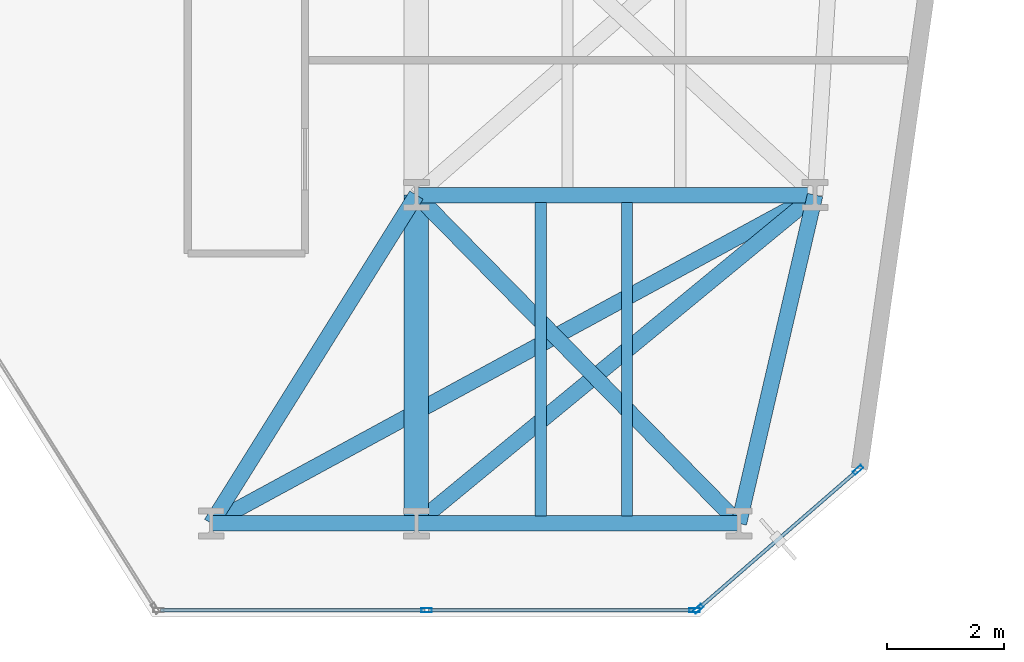
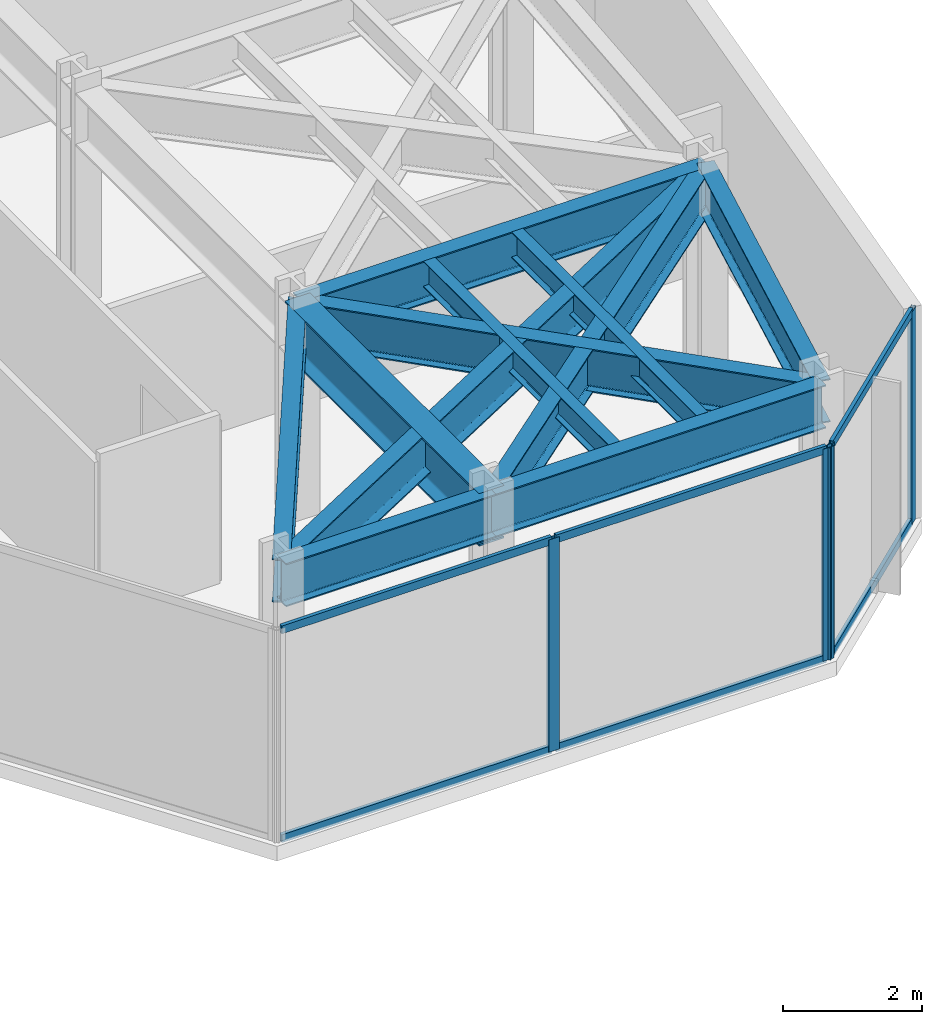
# One storey, part 13 of 25: 11 beams, 10 members, 2 elements without a shape of their own.
"""IFC4 building model written with IfcOpenShell, lengths in metres."""

from ifc_helpers import new_model, si_unit, direction, frame, origin, origin_2d, place, context, subcontext, project, spatial, hollow_rectangle, i_section, extrude, material, layer, layer_set, material_profile, profile_set, type_object, element, aggregate, save


model = new_model("IFC4")

# Units and contexts
model_context = context("Model", 3, precision=1e-05, world=origin(), true_north=direction((0.0, 1.0)))
body_context = subcontext(model_context, "Body", "Model", "MODEL_VIEW")
ifc_project = project(units=[si_unit("LENGTHUNIT", "METRE"), si_unit("AREAUNIT", "SQUARE_METRE"), si_unit("VOLUMEUNIT", "CUBIC_METRE"), si_unit("PLANEANGLEUNIT", "RADIAN"), si_unit("MASSUNIT", "GRAM", prefix="KILO")], contexts=[model_context])

# Site, building, storey
site_placement = place(None, origin())
site = spatial("IfcSite", under=ifc_project, at=site_placement, CompositionType="ELEMENT")
building_placement = place(site_placement, origin())
building = spatial("IfcBuilding", under=site, at=building_placement, Name="Kravanh Interchange Tower", CompositionType="ELEMENT")
storey_placement = place(building_placement, frame((0.0, 0.0, 41.5)))
storey = spatial("IfcBuildingStorey", under=building, at=storey_placement, Name="L09", CompositionType="ELEMENT", Elevation=41.5)

# Curtain wall, members
ifc_material_1 = material(Name="Anodised Bronze Aluminium", Category="aluminium")
ifc_layer = layer(ifc_material_1, 0.179931640625)
ifc_layer_set = layer_set([ifc_layer], Name="Unitised Curtain Wall System CW-Z1 Lower Office")
curtain_wall_type = type_object("IfcCurtainWallType", Name="Unitised Curtain Wall System CW-Z1 Lower Office", PredefinedType="NOTDEFINED", material=ifc_layer_set)
curtain_wall_1_placement = place(storey_placement, origin())
curtain_wall_1 = element("IfcCurtainWall", 1, at=curtain_wall_1_placement, inside=storey, type_object=curtain_wall_type, Name="L09 Unitised Curtain Wall CW-L09-02", PredefinedType="NOTDEFINED")
ifc_material_2 = material(Name="Anodised Bronze Aluminium", Category="aluminium")
ifc_material_profile_1 = material_profile(ifc_material_2, hollow_rectangle(XDim=0.070068359375, YDim=0.179931640625, WallThickness=0.00390625, at=origin_2d()), Name="ALU70X180X4")
ifc_profile_set_1 = profile_set([ifc_material_profile_1], Name="Anodised Bronze Aluminium")
member_type_1 = type_object("IfcMemberType", Name="Curtain Wall Mullion ALU70X180X4 Bronze", PredefinedType="MULLION", material=ifc_profile_set_1)
member_1_placement = place(storey_placement, frame((63.533203125, 3.513916015625, 0.0), z_axis=(0.0, 0.0, 1.0), x_axis=(0.656060422341, -0.754708368999, 0.0)))
member_1 = element("IfcMember", 2, at=member_1_placement, type_object=member_type_1, Name="CW-Z1 mullion 1", PredefinedType="MULLION", context=body_context, shape_type="SweptSolid", body=[
    extrude(hollow_rectangle(XDim=0.070068359375, YDim=0.179931640625, WallThickness=0.00390625, at=origin_2d()), origin(), (0.0, 0.0, 1.0), 3.739990234375),
])
member_2_placement = place(storey_placement, frame((60.805908203125, 1.14306640625, 0.0), z_axis=(0.0, 0.0, 1.0), x_axis=(0.656060422341, -0.754708368999, 0.0)))
member_2 = element("IfcMember", 3, at=member_2_placement, type_object=member_type_1, Name="CW-Z1 mullion 2", PredefinedType="MULLION", context=body_context, shape_type="SweptSolid", body=[
    extrude(hollow_rectangle(XDim=0.070068359375, YDim=0.179931640625, WallThickness=0.00390625, at=origin_2d()), origin(), (0.0, 0.0, 1.0), 3.739990234375),
])

curtain_wall_2_placement = place(storey_placement, origin())
curtain_wall_2 = element("IfcCurtainWall", 4, at=curtain_wall_2_placement, inside=storey, type_object=curtain_wall_type, Name="L09 Unitised Curtain Wall CW-L09-03", PredefinedType="NOTDEFINED")
member_3_placement = place(storey_placement, frame((60.744384765625, 1.1201171875, 0.0), z_axis=(0.0, 0.0, 1.0), x_axis=(0.0, -1.0, 0.0)))
member_3 = element("IfcMember", 5, at=member_3_placement, type_object=member_type_1, Name="CW-Z1 mullion 1", PredefinedType="MULLION", context=body_context, shape_type="SweptSolid", body=[
    extrude(hollow_rectangle(XDim=0.070068359375, YDim=0.179931640625, WallThickness=0.00390625, at=origin_2d()), origin(), (0.0, 0.0, 1.0), 3.739990234375),
])
member_4_placement = place(storey_placement, frame((56.1728515625, 1.1201171875, 0.0), z_axis=(0.0, 0.0, 1.0), x_axis=(0.0, -1.0, 0.0)))
member_4 = element("IfcMember", 6, at=member_4_placement, type_object=member_type_1, Name="CW-Z1 mullion 2", PredefinedType="MULLION", context=body_context, shape_type="SweptSolid", body=[
    extrude(hollow_rectangle(XDim=0.070068359375, YDim=0.179931640625, WallThickness=0.00390625, at=origin_2d()), origin(), (0.0, 0.0, 1.0), 3.739990234375),
])

# Member
ifc_material_3 = material(Name="Anodised Bronze Aluminium", Category="aluminium")
ifc_material_profile_2 = material_profile(ifc_material_3, hollow_rectangle(XDim=0.06005859375, YDim=0.139892578125, WallThickness=0.00390625, at=origin_2d()), Name="ALU60X140X4")
ifc_profile_set_2 = profile_set([ifc_material_profile_2], Name="Anodised Bronze Aluminium")
member_type_2 = type_object("IfcMemberType", Name="Curtain Wall Transom ALU60X140X4 Bronze", PredefinedType="USERDEFINED", material=ifc_profile_set_2)
member_5_placement = place(storey_placement, frame((63.5068359375, 3.490966796875, 0.030029296875), z_axis=(-0.754710815466, -0.656057608004, 0.0), x_axis=(0.656057608004, -0.754710815466, 0.0)))
member_5 = element("IfcMember", 7, at=member_5_placement, type_object=member_type_2, Name="CW-Z1 transom 1.1", ObjectType="TRANSOM", PredefinedType="USERDEFINED", context=body_context, shape_type="SweptSolid", body=[
    extrude(hollow_rectangle(XDim=0.06005859375, YDim=0.139892578125, WallThickness=0.00390625, at=origin_2d()), origin(), (0.0, 0.0, 1.0), 3.543701171875),
])

member_6_placement = place(storey_placement, frame((63.5068359375, 3.490966796875, 3.7099609375), z_axis=(-0.754710815466, -0.656057608004, 0.0), x_axis=(0.656057608004, -0.754710815466, 0.0)))
member_6 = element("IfcMember", 8, at=member_6_placement, type_object=member_type_2, Name="CW-Z1 transom 1.2", ObjectType="TRANSOM", PredefinedType="USERDEFINED", context=body_context, shape_type="SweptSolid", body=[
    extrude(hollow_rectangle(XDim=0.06005859375, YDim=0.139892578125, WallThickness=0.00390625, at=origin_2d()), origin(), (0.0, 0.0, 1.0), 3.543701171875),
])

aggregate(curtain_wall_1, [member_1, member_2, member_5, member_6])

member_7_placement = place(storey_placement, frame((60.70947265625, 1.1201171875, 0.030029296875), z_axis=(-1.0, 0.0, 0.0), x_axis=(0.0, -1.0, 0.0)))
member_7 = element("IfcMember", 9, at=member_7_placement, type_object=member_type_2, Name="CW-Z1 transom 1.1", ObjectType="TRANSOM", PredefinedType="USERDEFINED", context=body_context, shape_type="SweptSolid", body=[
    extrude(hollow_rectangle(XDim=0.06005859375, YDim=0.139892578125, WallThickness=0.00390625, at=origin_2d()), origin(), (0.0, 0.0, 1.0), 4.501708984375),
])

member_8_placement = place(storey_placement, frame((60.70947265625, 1.1201171875, 3.7099609375), z_axis=(-1.0, 0.0, 0.0), x_axis=(0.0, -1.0, 0.0)))
member_8 = element("IfcMember", 10, at=member_8_placement, type_object=member_type_2, Name="CW-Z1 transom 1.2", ObjectType="TRANSOM", PredefinedType="USERDEFINED", context=body_context, shape_type="SweptSolid", body=[
    extrude(hollow_rectangle(XDim=0.06005859375, YDim=0.139892578125, WallThickness=0.00390625, at=origin_2d()), origin(), (0.0, 0.0, 1.0), 4.501708984375),
])

member_9_placement = place(storey_placement, frame((56.1376953125, 1.1201171875, 0.030029296875), z_axis=(-1.0, 0.0, 0.0), x_axis=(0.0, -1.0, 0.0)))
member_9 = element("IfcMember", 11, at=member_9_placement, type_object=member_type_2, Name="CW-Z1 transom 2.1", ObjectType="TRANSOM", PredefinedType="USERDEFINED", context=body_context, shape_type="SweptSolid", body=[
    extrude(hollow_rectangle(XDim=0.06005859375, YDim=0.139892578125, WallThickness=0.00390625, at=origin_2d()), origin(), (0.0, 0.0, 1.0), 4.50146484375),
])

member_10_placement = place(storey_placement, frame((56.1376953125, 1.1201171875, 3.7099609375), z_axis=(-1.0, 0.0, 0.0), x_axis=(0.0, -1.0, 0.0)))
member_10 = element("IfcMember", 12, at=member_10_placement, type_object=member_type_2, Name="CW-Z1 transom 2.2", ObjectType="TRANSOM", PredefinedType="USERDEFINED", context=body_context, shape_type="SweptSolid", body=[
    extrude(hollow_rectangle(XDim=0.06005859375, YDim=0.139892578125, WallThickness=0.00390625, at=origin_2d()), origin(), (0.0, 0.0, 1.0), 4.50146484375),
])

aggregate(curtain_wall_2, [member_3, member_4, member_7, member_8, member_9, member_10])

# Beams
ifc_material_4 = material(Name="Structural Steel S355", Category="steel")
ifc_material_profile_3 = material_profile(ifc_material_4, i_section(OverallWidth=0.41796875, OverallDepth=0.927001953125, WebThickness=0.019287109375, FlangeThickness=0.031982421875, FilletRadius=0.028076171875, at=origin_2d()), Name="W36X231")
ifc_profile_set_3 = profile_set([ifc_material_profile_3], Name="Structural Steel S355")
beam_type_1 = type_object("IfcBeamType", Name="Floor Beam W36X231 Structural Steel S355", PredefinedType="BEAM", material=ifc_profile_set_3)
beam_1_placement = place(storey_placement, frame((56.0, 2.60009765625, 3.276611328125), z_axis=(0.0, 1.0, 0.0), x_axis=(-1.0, 0.0, 0.0)))
element("IfcBeam", 13, at=beam_1_placement, inside=storey, type_object=beam_type_1, Name="L09 Primary Floor Girder 129", PredefinedType="BEAM", context=body_context, shape_type="SweptSolid", body=[
    extrude(i_section(OverallWidth=0.41796875, OverallDepth=0.927001953125, WebThickness=0.019287109375, FlangeThickness=0.031982421875, FilletRadius=0.028076171875, at=origin_2d()), origin(), (0.0, 0.0, 1.0), 5.599853515625),
])
ifc_material_5 = material(Name="Structural Steel S355", Category="steel")
ifc_material_profile_4 = material_profile(ifc_material_5, i_section(OverallWidth=0.18994140625, OverallDepth=0.45703125, WebThickness=0.009033203125, FlangeThickness=0.014404296875, FilletRadius=0.01806640625, at=origin_2d()), Name="W18X50")
ifc_profile_set_4 = profile_set([ifc_material_profile_4], Name="Structural Steel S355")
beam_type_2 = type_object("IfcBeamType", Name="Floor Joist W18X50 Structural Steel S355", PredefinedType="JOIST", material=ifc_profile_set_4)
for number, where, z_axis, x_axis, name in (
    (14, (58.1201171875, 2.728515625, 3.511474609375), (0.0, 1.0, 0.0), (-1.0, 0.0, 0.0), "L09 Secondary Floor Joist 5"),
    (15, (59.590087890625, 2.728515625, 3.511474609375), (0.0, 1.0, 0.0), (-1.0, 0.0, 0.0), "L09 Secondary Floor Joist 6"),
):
    element("IfcBeam", number, at=place(storey_placement, frame(where, z_axis=z_axis, x_axis=x_axis)), inside=storey, type_object=beam_type_2, Name=name, PredefinedType="JOIST", context=body_context, shape_type="SweptSolid", body=[
        extrude(i_section(OverallWidth=0.18994140625, OverallDepth=0.45703125, WebThickness=0.009033203125, FlangeThickness=0.014404296875, FilletRadius=0.01806640625, at=origin_2d()), origin(), (0.0, 0.0, 1.0), 5.343017578125),
    ])
ifc_material_6 = material(Name="Structural Steel S355", Category="steel")
ifc_material_profile_5 = material_profile(ifc_material_6, i_section(OverallWidth=0.26708984375, OverallDepth=0.761962890625, WebThickness=0.014404296875, FlangeThickness=0.021484375, FilletRadius=0.02490234375, at=origin_2d()), Name="W30X116")
ifc_profile_set_5 = profile_set([ifc_material_profile_5], Name="Structural Steel S355")
beam_type_3 = type_object("IfcBeamType", Name="Floor Spandrel W30X116 Structural Steel S355", PredefinedType="SPANDREL", material=ifc_profile_set_5)
beam_2_placement = place(storey_placement, frame((52.5, 2.60009765625, 3.35888671875), z_axis=(1.0, 0.0, 0.0), x_axis=(0.0, 1.0, 0.0)))
element("IfcBeam", 16, at=beam_2_placement, inside=storey, type_object=beam_type_3, Name="L09 Perimeter Spandrel 125", PredefinedType="SPANDREL", context=body_context, shape_type="SweptSolid", body=[
    extrude(i_section(OverallWidth=0.26708984375, OverallDepth=0.761962890625, WebThickness=0.014404296875, FlangeThickness=0.021484375, FilletRadius=0.02490234375, at=origin_2d()), origin(), (0.0, 0.0, 1.0), 3.5),
])
beam_3_placement = place(storey_placement, frame((52.5, 2.60009765625, 3.35888671875), z_axis=(0.530008909536, 0.847992072965, 0.0), x_axis=(-0.847992072965, 0.530008909536, 0.0)))
element("IfcBeam", 17, at=beam_3_placement, inside=storey, type_object=beam_type_3, Name="L09 Perimeter Spandrel 126", PredefinedType="SPANDREL", context=body_context, shape_type="SweptSolid", body=[
    extrude(i_section(OverallWidth=0.26708984375, OverallDepth=0.761962890625, WebThickness=0.014404296875, FlangeThickness=0.021484375, FilletRadius=0.02490234375, at=origin_2d()), origin(), (0.0, 0.0, 1.0), 6.603759765625),
])
beam_4_placement = place(storey_placement, frame((52.5, 2.60009765625, 3.35888671875), z_axis=(0.878552895081, 0.47764506754, 0.0), x_axis=(-0.47764506754, 0.878552895081, 0.0)))
element("IfcBeam", 18, at=beam_4_placement, inside=storey, type_object=beam_type_3, Name="L09 Perimeter Spandrel 127", PredefinedType="SPANDREL", context=body_context, shape_type="SweptSolid", body=[
    extrude(i_section(OverallWidth=0.26708984375, OverallDepth=0.761962890625, WebThickness=0.014404296875, FlangeThickness=0.021484375, FilletRadius=0.02490234375, at=origin_2d()), origin(), (0.0, 0.0, 1.0), 11.723876953125),
])
beam_5_placement = place(storey_placement, frame((56.0, 2.60009765625, 3.35888671875), z_axis=(1.0, 0.0, 0.0), x_axis=(0.0, 1.0, 0.0)))
element("IfcBeam", 19, at=beam_5_placement, inside=storey, type_object=beam_type_3, Name="L09 Perimeter Spandrel 128", PredefinedType="SPANDREL", context=body_context, shape_type="SweptSolid", body=[
    extrude(i_section(OverallWidth=0.26708984375, OverallDepth=0.761962890625, WebThickness=0.014404296875, FlangeThickness=0.021484375, FilletRadius=0.02490234375, at=origin_2d()), origin(), (0.0, 0.0, 1.0), 5.5),
])
beam_6_placement = place(storey_placement, frame((56.0, 2.60009765625, 3.35888671875), z_axis=(0.771940635711, 0.635694623965, 0.0), x_axis=(-0.635694623965, 0.771940635711, 0.0)))
element("IfcBeam", 20, at=beam_6_placement, inside=storey, type_object=beam_type_3, Name="L09 Perimeter Spandrel 130", PredefinedType="SPANDREL", context=body_context, shape_type="SweptSolid", body=[
    extrude(i_section(OverallWidth=0.26708984375, OverallDepth=0.761962890625, WebThickness=0.014404296875, FlangeThickness=0.021484375, FilletRadius=0.02490234375, at=origin_2d()), origin(), (0.0, 0.0, 1.0), 8.80908203125),
])
beam_7_placement = place(storey_placement, frame((61.5, 2.60009765625, 3.35888671875), z_axis=(0.226143379252, 0.974094026273, 0.0), x_axis=(-0.974094026273, 0.226143379252, 0.0)))
element("IfcBeam", 21, at=beam_7_placement, inside=storey, type_object=beam_type_3, Name="L09 Perimeter Spandrel 131", PredefinedType="SPANDREL", context=body_context, shape_type="SweptSolid", body=[
    extrude(i_section(OverallWidth=0.26708984375, OverallDepth=0.761962890625, WebThickness=0.014404296875, FlangeThickness=0.021484375, FilletRadius=0.02490234375, at=origin_2d()), origin(), (0.0, 0.0, 1.0), 5.748779296875),
])
beam_8_placement = place(storey_placement, frame((61.5, 2.60009765625, 3.35888671875), z_axis=(-0.700717344595, 0.71343899738, 0.0), x_axis=(-0.71343899738, -0.700717344595, 0.0)))
element("IfcBeam", 22, at=beam_8_placement, inside=storey, type_object=beam_type_3, Name="L09 Perimeter Spandrel 132", PredefinedType="SPANDREL", context=body_context, shape_type="SweptSolid", body=[
    extrude(i_section(OverallWidth=0.26708984375, OverallDepth=0.761962890625, WebThickness=0.014404296875, FlangeThickness=0.021484375, FilletRadius=0.02490234375, at=origin_2d()), origin(), (0.0, 0.0, 1.0), 7.84912109375),
])
beam_9_placement = place(storey_placement, frame((56.0, 8.199951171875, 3.35888671875), z_axis=(1.0, 0.0, 0.0), x_axis=(0.0, 1.0, 0.0)))
element("IfcBeam", 23, at=beam_9_placement, inside=storey, type_object=beam_type_3, Name="L09 Perimeter Spandrel 142", PredefinedType="SPANDREL", context=body_context, shape_type="SweptSolid", body=[
    extrude(i_section(OverallWidth=0.26708984375, OverallDepth=0.761962890625, WebThickness=0.014404296875, FlangeThickness=0.021484375, FilletRadius=0.02490234375, at=origin_2d()), origin(), (0.0, 0.0, 1.0), 6.800048828125),
])

save(model, "model.ifc")
